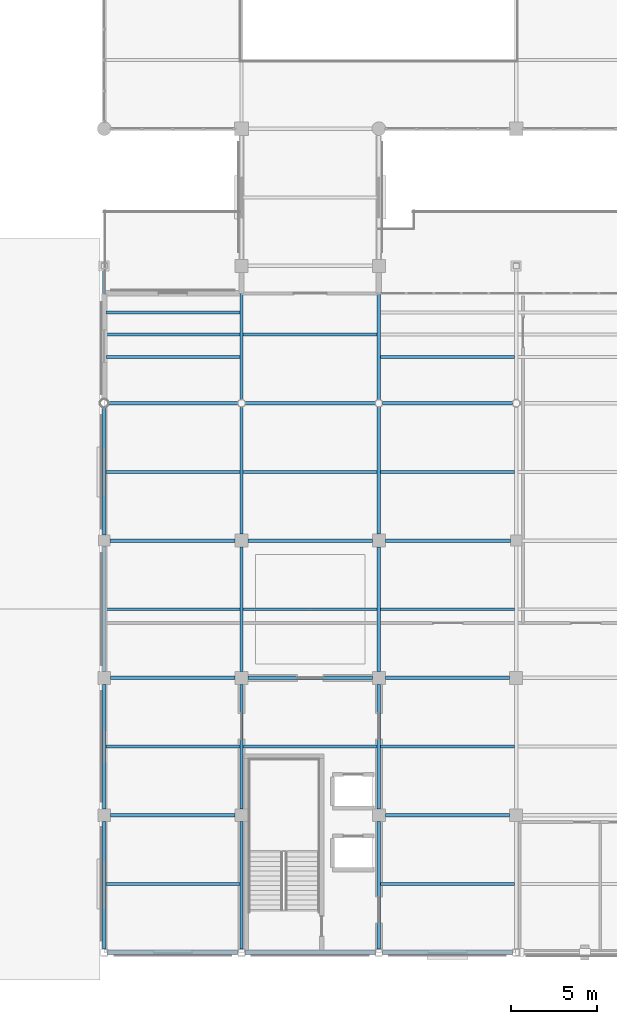
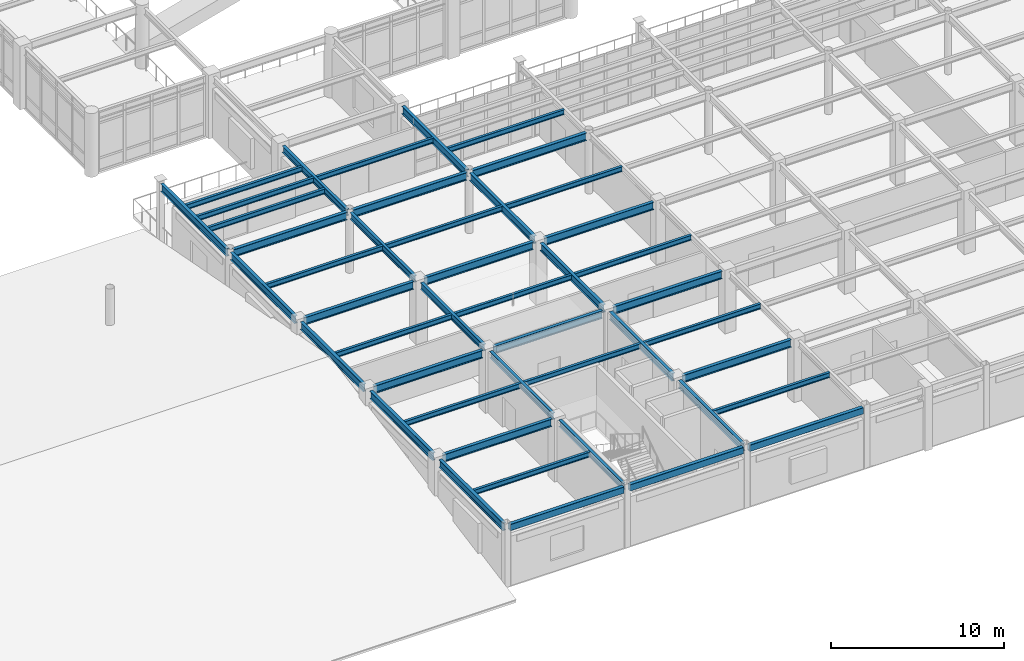
# One storey, part 18 of 111: 45 beams.
"""IFC4 building model written with IfcOpenShell, lengths in metres."""

from ifc_helpers import new_model, si_unit, direction, frame, origin, origin_2d, place, context, subcontext, project, spatial, hollow_rectangle, i_section, extrude, material, material_profile, profile_set, type_object, element, save


model = new_model("IFC4")

# Units and contexts
model_context = context("Model", 3, precision=1e-05, world=origin(), true_north=direction((0.0, 1.0)))
body_context = subcontext(model_context, "Body", "Model", "MODEL_VIEW")
ifc_project = project(units=[si_unit("LENGTHUNIT", "METRE"), si_unit("AREAUNIT", "SQUARE_METRE"), si_unit("VOLUMEUNIT", "CUBIC_METRE"), si_unit("PLANEANGLEUNIT", "RADIAN"), si_unit("MASSUNIT", "GRAM", prefix="KILO")], contexts=[model_context])

# Site, building, storey
site_placement = place(None, origin())
site = spatial("IfcSite", under=ifc_project, at=site_placement, CompositionType="ELEMENT")
building_placement = place(site_placement, origin())
building = spatial("IfcBuilding", under=site, at=building_placement, Name="Solmirada Galleria", CompositionType="ELEMENT")
storey_placement = place(building_placement, frame((0.0, 0.0, 10.39990234375)))
storey = spatial("IfcBuildingStorey", under=building, at=storey_placement, Name="L02", CompositionType="ELEMENT", Elevation=10.39990234375)

# Beams
ifc_material_1 = material(Name="Steel S355 / ASTM A992 Grade 50", Category="steel")
ifc_material_profile_1 = material_profile(ifc_material_1, i_section(OverallWidth=0.194091796875, OverallDepth=0.468994140625, WebThickness=0.0126953125, FlangeThickness=0.0205078125, FilletRadius=0.013916015625, at=origin_2d()), Name="W18X71")
ifc_profile_set_1 = profile_set([ifc_material_profile_1], Name="Steel S355 / ASTM A992 Grade 50")
beam_type_1 = type_object("IfcBeamType", Name="BM-GIRD-W18B", PredefinedType="BEAM", material=ifc_profile_set_1)
beam_1_placement = place(storey_placement, frame((88.0, 0.202880859375, 4.065673828125), z_axis=(0.0, 1.0, 0.0), x_axis=(-1.0, 0.0, 0.0)))
element("IfcBeam", 1, at=beam_1_placement, inside=storey, type_object=beam_type_1, Name="Primary girder L03 Y(88, 0..8)", PredefinedType="BEAM", context=body_context, shape_type="SweptSolid", body=[
    extrude(i_section(OverallWidth=0.194091796875, OverallDepth=0.468994140625, WebThickness=0.0126953125, FlangeThickness=0.0205078125, FilletRadius=0.013916015625, at=origin_2d()), origin(), (0.0, 0.0, 1.0), 7.422119140625),
])
for number, where, z_axis, x_axis, name in (
    (2, (88.0, 8.375, 4.065673828125), (0.0, 1.0, 0.0), (-1.0, 0.0, 0.0), "Primary girder L03 Y(88, 8..16)"),
    (3, (88.0, 16.375, 4.065673828125), (0.0, 1.0, 0.0), (-1.0, 0.0, 0.0), "Primary girder L03 Y(88, 16..24)"),
):
    element("IfcBeam", number, at=place(storey_placement, frame(where, z_axis=z_axis, x_axis=x_axis)), inside=storey, type_object=beam_type_1, Name=name, PredefinedType="BEAM", context=body_context, shape_type="SweptSolid", body=[
        extrude(i_section(OverallWidth=0.194091796875, OverallDepth=0.468994140625, WebThickness=0.0126953125, FlangeThickness=0.0205078125, FilletRadius=0.013916015625, at=origin_2d()), origin(), (0.0, 0.0, 1.0), 7.25),
    ])
for number, where, z_axis, x_axis, name in (
    (4, (88.0, 24.375, 4.065673828125), (0.0, 1.0, 0.0), (-1.0, 0.0, 0.0), "Primary girder L03 Y(88, 24..32)"),
    (5, (88.0, 32.19189453125, 4.025634765625), (0.0, 1.0, 0.0), (-1.0, 0.0, 0.0), "Primary girder L03 Y(88, 32..40)"),
):
    element("IfcBeam", number, at=place(storey_placement, frame(where, z_axis=z_axis, x_axis=x_axis)), inside=storey, type_object=beam_type_1, Name=name, PredefinedType="BEAM", context=body_context, shape_type="SweptSolid", body=[
        extrude(i_section(OverallWidth=0.194091796875, OverallDepth=0.468994140625, WebThickness=0.0126953125, FlangeThickness=0.0205078125, FilletRadius=0.013916015625, at=origin_2d()), origin(), (0.0, 0.0, 1.0), 7.43310546875),
    ])
ifc_material_profile_2 = material_profile(ifc_material_1, i_section(OverallWidth=0.214111328125, OverallDepth=0.549072265625, WebThickness=0.0146484375, FlangeThickness=0.023681640625, FilletRadius=0.014892578125, at=origin_2d()), Name="W21X93")
ifc_profile_set_2 = profile_set([ifc_material_profile_2], Name="Steel S355 / ASTM A992 Grade 50")
beam_type_2 = type_object("IfcBeamType", Name="BM-GIRD-W21A", PredefinedType="BEAM", material=ifc_profile_set_2)
beam_2_placement = place(storey_placement, frame((80.375, 16.0, 4.025634765625), z_axis=(1.0, 0.0, 0.0), x_axis=(0.0, 1.0, 0.0)))
element("IfcBeam", 6, at=beam_2_placement, inside=storey, type_object=beam_type_2, Name="Primary beam L03 X(80..88, 16)", PredefinedType="BEAM", context=body_context, shape_type="SweptSolid", body=[
    extrude(i_section(OverallWidth=0.214111328125, OverallDepth=0.549072265625, WebThickness=0.0146484375, FlangeThickness=0.023681640625, FilletRadius=0.014892578125, at=origin_2d()), origin(), (0.0, 0.0, 1.0), 7.25),
])
beam_3_placement = place(storey_placement, frame((80.21337890625, 32.0, 4.025634765625), z_axis=(1.0, 0.0, 0.0), x_axis=(0.0, 1.0, 0.0)))
element("IfcBeam", 7, at=beam_3_placement, inside=storey, type_object=beam_type_2, Name="Primary beam L03 X(80..88, 32)", PredefinedType="BEAM", context=body_context, shape_type="SweptSolid", body=[
    extrude(i_section(OverallWidth=0.214111328125, OverallDepth=0.549072265625, WebThickness=0.0146484375, FlangeThickness=0.023681640625, FilletRadius=0.014892578125, at=origin_2d()), origin(), (0.0, 0.0, 1.0), 7.5947265625),
])
beam_4_placement = place(storey_placement, frame((88.375, 16.0, 4.025634765625), z_axis=(1.0, 0.0, 0.0), x_axis=(0.0, 1.0, 0.0)))
element("IfcBeam", 8, at=beam_4_placement, inside=storey, type_object=beam_type_2, Name="Primary beam L03 X(88..96, 16)", PredefinedType="BEAM", context=body_context, shape_type="SweptSolid", body=[
    extrude(i_section(OverallWidth=0.214111328125, OverallDepth=0.549072265625, WebThickness=0.0146484375, FlangeThickness=0.023681640625, FilletRadius=0.014892578125, at=origin_2d()), origin(), (0.0, 0.0, 1.0), 7.25),
])
beam_5_placement = place(storey_placement, frame((88.19189453125, 32.0, 4.025634765625), z_axis=(1.0, 0.0, 0.0), x_axis=(0.0, 1.0, 0.0)))
element("IfcBeam", 9, at=beam_5_placement, inside=storey, type_object=beam_type_2, Name="Primary beam L03 X(88..96, 32)", PredefinedType="BEAM", context=body_context, shape_type="SweptSolid", body=[
    extrude(i_section(OverallWidth=0.214111328125, OverallDepth=0.549072265625, WebThickness=0.0146484375, FlangeThickness=0.023681640625, FilletRadius=0.014892578125, at=origin_2d()), origin(), (0.0, 0.0, 1.0), 7.6162109375),
])
beam_6_placement = place(storey_placement, frame((96.375, 16.0, 4.025634765625), z_axis=(1.0, 0.0, 0.0), x_axis=(0.0, 1.0, 0.0)))
element("IfcBeam", 10, at=beam_6_placement, inside=storey, type_object=beam_type_2, Name="Primary beam L03 X(96..104, 16)", PredefinedType="BEAM", context=body_context, shape_type="SweptSolid", body=[
    extrude(i_section(OverallWidth=0.214111328125, OverallDepth=0.549072265625, WebThickness=0.0146484375, FlangeThickness=0.023681640625, FilletRadius=0.014892578125, at=origin_2d()), origin(), (0.0, 0.0, 1.0), 7.25),
])
beam_7_placement = place(storey_placement, frame((96.19189453125, 32.0, 4.025634765625), z_axis=(1.0, 0.0, 0.0), x_axis=(0.0, 1.0, 0.0)))
element("IfcBeam", 11, at=beam_7_placement, inside=storey, type_object=beam_type_2, Name="Primary beam L03 X(96..104, 32)", PredefinedType="BEAM", context=body_context, shape_type="SweptSolid", body=[
    extrude(i_section(OverallWidth=0.214111328125, OverallDepth=0.549072265625, WebThickness=0.0146484375, FlangeThickness=0.023681640625, FilletRadius=0.014892578125, at=origin_2d()), origin(), (0.0, 0.0, 1.0), 7.6162109375),
])
ifc_material_profile_3 = material_profile(ifc_material_1, i_section(OverallWidth=0.2099609375, OverallDepth=0.537109375, WebThickness=0.010986328125, FlangeThickness=0.017333984375, FilletRadius=0.014892578125, at=origin_2d()), Name="W21X68")
ifc_profile_set_3 = profile_set([ifc_material_profile_3], Name="Steel S355 / ASTM A992 Grade 50")
beam_type_3 = type_object("IfcBeamType", Name="BM-GIRD-W21B", PredefinedType="BEAM", material=ifc_profile_set_3)
beam_8_placement = place(storey_placement, frame((80.375, 8.0, 4.031494140625), z_axis=(1.0, 0.0, 0.0), x_axis=(0.0, 1.0, 0.0)))
element("IfcBeam", 12, at=beam_8_placement, inside=storey, type_object=beam_type_3, Name="Primary beam L03 X(80..88, 8)", PredefinedType="BEAM", context=body_context, shape_type="SweptSolid", body=[
    extrude(i_section(OverallWidth=0.2099609375, OverallDepth=0.537109375, WebThickness=0.010986328125, FlangeThickness=0.017333984375, FilletRadius=0.014892578125, at=origin_2d()), origin(), (0.0, 0.0, 1.0), 7.25),
])
beam_9_placement = place(storey_placement, frame((80.324951171875, 24.0, 4.031494140625), z_axis=(1.0, 0.0, 0.0), x_axis=(0.0, 1.0, 0.0)))
element("IfcBeam", 13, at=beam_9_placement, inside=storey, type_object=beam_type_3, Name="Primary beam L03 X(80..88, 24)", PredefinedType="BEAM", context=body_context, shape_type="SweptSolid", body=[
    extrude(i_section(OverallWidth=0.2099609375, OverallDepth=0.537109375, WebThickness=0.010986328125, FlangeThickness=0.017333984375, FilletRadius=0.014892578125, at=origin_2d()), origin(), (0.0, 0.0, 1.0), 7.300048828125),
])
for number, where, z_axis, x_axis, name in (
    (14, (88.375, 24.0, 4.031494140625), (1.0, 0.0, 0.0), (0.0, 1.0, 0.0), "Primary beam L03 X(88..96, 24)"),
    (15, (96.375, 8.0, 4.031494140625), (1.0, 0.0, 0.0), (0.0, 1.0, 0.0), "Primary beam L03 X(96..104, 8)"),
):
    element("IfcBeam", number, at=place(storey_placement, frame(where, z_axis=z_axis, x_axis=x_axis)), inside=storey, type_object=beam_type_3, Name=name, PredefinedType="BEAM", context=body_context, shape_type="SweptSolid", body=[
        extrude(i_section(OverallWidth=0.2099609375, OverallDepth=0.537109375, WebThickness=0.010986328125, FlangeThickness=0.017333984375, FilletRadius=0.014892578125, at=origin_2d()), origin(), (0.0, 0.0, 1.0), 7.25),
    ])
beam_10_placement = place(storey_placement, frame((96.375, 24.0, 4.031494140625), z_axis=(1.0, 0.0, 0.0), x_axis=(0.0, 1.0, 0.0)))
element("IfcBeam", 16, at=beam_10_placement, inside=storey, type_object=beam_type_3, Name="Primary beam L03 X(96..104, 24)", PredefinedType="BEAM", context=body_context, shape_type="SweptSolid", body=[
    extrude(i_section(OverallWidth=0.2099609375, OverallDepth=0.537109375, WebThickness=0.010986328125, FlangeThickness=0.017333984375, FilletRadius=0.014892578125, at=origin_2d()), origin(), (0.0, 0.0, 1.0), 7.300048828125),
])
beam_11_placement = place(storey_placement, frame((80.0, 0.202880859375, 4.031494140625), z_axis=(0.0, 1.0, 0.0), x_axis=(-1.0, 0.0, 0.0)))
element("IfcBeam", 17, at=beam_11_placement, inside=storey, type_object=beam_type_3, Name="Primary girder L03 Y(80, 0..8)", PredefinedType="BEAM", context=body_context, shape_type="SweptSolid", body=[
    extrude(i_section(OverallWidth=0.2099609375, OverallDepth=0.537109375, WebThickness=0.010986328125, FlangeThickness=0.017333984375, FilletRadius=0.014892578125, at=origin_2d()), origin(), (0.0, 0.0, 1.0), 7.422119140625),
])
beam_12_placement = place(storey_placement, frame((80.0, 8.375, 4.031494140625), z_axis=(0.0, 1.0, 0.0), x_axis=(-1.0, 0.0, 0.0)))
element("IfcBeam", 18, at=beam_12_placement, inside=storey, type_object=beam_type_3, Name="Primary girder L03 Y(80, 8..16)", PredefinedType="BEAM", context=body_context, shape_type="SweptSolid", body=[
    extrude(i_section(OverallWidth=0.2099609375, OverallDepth=0.537109375, WebThickness=0.010986328125, FlangeThickness=0.017333984375, FilletRadius=0.014892578125, at=origin_2d()), origin(), (0.0, 0.0, 1.0), 7.25),
])
beam_13_placement = place(storey_placement, frame((80.0, 16.375, 4.031494140625), z_axis=(0.0, 1.0, 0.0), x_axis=(-1.0, 0.0, 0.0)))
element("IfcBeam", 19, at=beam_13_placement, inside=storey, type_object=beam_type_3, Name="Primary girder L03 Y(80, 16..24)", PredefinedType="BEAM", context=body_context, shape_type="SweptSolid", body=[
    extrude(i_section(OverallWidth=0.2099609375, OverallDepth=0.537109375, WebThickness=0.010986328125, FlangeThickness=0.017333984375, FilletRadius=0.014892578125, at=origin_2d()), origin(), (0.0, 0.0, 1.0), 7.300048828125),
])
beam_14_placement = place(storey_placement, frame((80.0, 24.324951171875, 4.031494140625), z_axis=(0.0, 1.0, 0.0), x_axis=(-1.0, 0.0, 0.0)))
element("IfcBeam", 20, at=beam_14_placement, inside=storey, type_object=beam_type_3, Name="Primary girder L03 Y(80, 24..32)", PredefinedType="BEAM", context=body_context, shape_type="SweptSolid", body=[
    extrude(i_section(OverallWidth=0.2099609375, OverallDepth=0.537109375, WebThickness=0.010986328125, FlangeThickness=0.017333984375, FilletRadius=0.014892578125, at=origin_2d()), origin(), (0.0, 0.0, 1.0), 7.461669921875),
])
beam_15_placement = place(storey_placement, frame((80.0, 32.21337890625, 3.99169921875), z_axis=(0.0, 1.0, 0.0), x_axis=(-1.0, 0.0, 0.0)))
element("IfcBeam", 21, at=beam_15_placement, inside=storey, type_object=beam_type_3, Name="Primary girder L03 Y(80, 32..40)", PredefinedType="BEAM", context=body_context, shape_type="SweptSolid", body=[
    extrude(i_section(OverallWidth=0.2099609375, OverallDepth=0.537109375, WebThickness=0.010986328125, FlangeThickness=0.017333984375, FilletRadius=0.014892578125, at=origin_2d()), origin(), (0.0, 0.0, 1.0), 7.608642578125),
])
beam_16_placement = place(storey_placement, frame((96.0, 0.202880859375, 4.031494140625), z_axis=(0.0, 1.0, 0.0), x_axis=(-1.0, 0.0, 0.0)))
element("IfcBeam", 22, at=beam_16_placement, inside=storey, type_object=beam_type_3, Name="Primary girder L03 Y(96, 0..8)", PredefinedType="BEAM", context=body_context, shape_type="SweptSolid", body=[
    extrude(i_section(OverallWidth=0.2099609375, OverallDepth=0.537109375, WebThickness=0.010986328125, FlangeThickness=0.017333984375, FilletRadius=0.014892578125, at=origin_2d()), origin(), (0.0, 0.0, 1.0), 7.422119140625),
])
for number, where, z_axis, x_axis, name in (
    (23, (96.0, 8.375, 4.031494140625), (0.0, 1.0, 0.0), (-1.0, 0.0, 0.0), "Primary girder L03 Y(96, 8..16)"),
    (24, (96.0, 16.375, 4.031494140625), (0.0, 1.0, 0.0), (-1.0, 0.0, 0.0), "Primary girder L03 Y(96, 16..24)"),
):
    element("IfcBeam", number, at=place(storey_placement, frame(where, z_axis=z_axis, x_axis=x_axis)), inside=storey, type_object=beam_type_3, Name=name, PredefinedType="BEAM", context=body_context, shape_type="SweptSolid", body=[
        extrude(i_section(OverallWidth=0.2099609375, OverallDepth=0.537109375, WebThickness=0.010986328125, FlangeThickness=0.017333984375, FilletRadius=0.014892578125, at=origin_2d()), origin(), (0.0, 0.0, 1.0), 7.25),
    ])
for number, where, z_axis, x_axis, name in (
    (25, (96.0, 24.375, 4.031494140625), (0.0, 1.0, 0.0), (-1.0, 0.0, 0.0), "Primary girder L03 Y(96, 24..32)"),
    (26, (96.0, 32.19189453125, 3.99169921875), (0.0, 1.0, 0.0), (-1.0, 0.0, 0.0), "Primary girder L03 Y(96, 32..40)"),
):
    element("IfcBeam", number, at=place(storey_placement, frame(where, z_axis=z_axis, x_axis=x_axis)), inside=storey, type_object=beam_type_3, Name=name, PredefinedType="BEAM", context=body_context, shape_type="SweptSolid", body=[
        extrude(i_section(OverallWidth=0.2099609375, OverallDepth=0.537109375, WebThickness=0.010986328125, FlangeThickness=0.017333984375, FilletRadius=0.014892578125, at=origin_2d()), origin(), (0.0, 0.0, 1.0), 7.43310546875),
    ])
ifc_material_profile_4 = material_profile(ifc_material_1, i_section(OverallWidth=0.172119140625, OverallDepth=0.35791015625, WebThickness=0.0078125, FlangeThickness=0.01318359375, FilletRadius=0.011962890625, at=origin_2d()), Name="W14X38")
ifc_profile_set_4 = profile_set([ifc_material_profile_4], Name="Steel S355 / ASTM A992 Grade 50")
beam_type_4 = type_object("IfcBeamType", Name="BM-JST-W14A", PredefinedType="JOIST", material=ifc_profile_set_4)
for number, where, z_axis, x_axis, name in (
    (27, (80.10498046875, 4.0, 4.12109375), (1.0, 0.0, 0.0), (0.0, 1.0, 0.0), "Composite floor joist L03 (80..88, 4.0)"),
    (28, (80.10498046875, 12.0, 4.12109375), (1.0, 0.0, 0.0), (0.0, 1.0, 0.0), "Composite floor joist L03 (80..88, 12.0)"),
    (29, (80.10498046875, 20.0, 4.12109375), (1.0, 0.0, 0.0), (0.0, 1.0, 0.0), "Composite floor joist L03 (80..88, 20.0)"),
    (30, (80.10498046875, 28.0, 4.12109375), (1.0, 0.0, 0.0), (0.0, 1.0, 0.0), "Composite floor joist L03 (80..88, 28.0)"),
    (31, (80.10498046875, 36.0, 4.0810546875), (1.0, 0.0, 0.0), (0.0, 1.0, 0.0), "Composite floor joist L03 (80..88, 36.0)"),
    (32, (88.096923828125, 12.0, 4.12109375), (1.0, 0.0, 0.0), (0.0, 1.0, 0.0), "Composite floor joist L03 (88..96, 12.0)"),
    (33, (88.096923828125, 20.0, 4.12109375), (1.0, 0.0, 0.0), (0.0, 1.0, 0.0), "Composite floor joist L03 (88..96, 20.0)"),
    (34, (88.096923828125, 28.0, 4.12109375), (1.0, 0.0, 0.0), (0.0, 1.0, 0.0), "Composite floor joist L03 (88..96, 28.0)"),
    (35, (88.096923828125, 36.0, 4.0810546875), (1.0, 0.0, 0.0), (0.0, 1.0, 0.0), "Composite floor joist L03 (88..96, 36.0)"),
    (36, (96.10498046875, 4.0, 4.12109375), (1.0, 0.0, 0.0), (0.0, 1.0, 0.0), "Composite floor joist L03 (96..104, 4.0)"),
    (37, (96.10498046875, 12.0, 4.12109375), (1.0, 0.0, 0.0), (0.0, 1.0, 0.0), "Composite floor joist L03 (96..104, 12.0)"),
    (38, (96.10498046875, 20.0, 4.12109375), (1.0, 0.0, 0.0), (0.0, 1.0, 0.0), "Composite floor joist L03 (96..104, 20.0)"),
    (39, (96.10498046875, 28.0, 4.12109375), (1.0, 0.0, 0.0), (0.0, 1.0, 0.0), "Composite floor joist L03 (96..104, 28.0)"),
):
    element("IfcBeam", number, at=place(storey_placement, frame(where, z_axis=z_axis, x_axis=x_axis)), inside=storey, type_object=beam_type_4, Name=name, PredefinedType="JOIST", context=body_context, shape_type="SweptSolid", body=[
        extrude(i_section(OverallWidth=0.172119140625, OverallDepth=0.35791015625, WebThickness=0.0078125, FlangeThickness=0.01318359375, FilletRadius=0.011962890625, at=origin_2d()), origin(), (0.0, 0.0, 1.0), 7.798095703125),
    ])
ifc_material_profile_5 = material_profile(ifc_material_1, i_section(OverallWidth=0.1708984375, OverallDepth=0.35205078125, WebThickness=0.0068359375, FlangeThickness=0.009765625, FilletRadius=0.010986328125, at=origin_2d()), Name="W14X30")
ifc_profile_set_5 = profile_set([ifc_material_profile_5], Name="Steel S355 / ASTM A992 Grade 50")
beam_type_5 = type_object("IfcBeamType", Name="BM-JST-W14B", PredefinedType="JOIST", material=ifc_profile_set_5)
for number, where, z_axis, x_axis, name in (
    (40, (80.10498046875, 34.699951171875, 4.083984375), (1.0, 0.0, 0.0), (0.0, 1.0, 0.0), "Terrace deck joist L03-TERR-SW X=80..88 (1)"),
    (41, (80.10498046875, 37.300048828125, 4.083984375), (1.0, 0.0, 0.0), (0.0, 1.0, 0.0), "Terrace deck joist L03-TERR-SW X=80..88 (2)"),
    (42, (96.10498046875, 34.699951171875, 4.083984375), (1.0, 0.0, 0.0), (0.0, 1.0, 0.0), "Terrace deck joist L03-TERR-SE X=96..104 (1)"),
):
    element("IfcBeam", number, at=place(storey_placement, frame(where, z_axis=z_axis, x_axis=x_axis)), inside=storey, type_object=beam_type_5, Name=name, PredefinedType="JOIST", context=body_context, shape_type="SweptSolid", body=[
        extrude(i_section(OverallWidth=0.1708984375, OverallDepth=0.35205078125, WebThickness=0.0068359375, FlangeThickness=0.009765625, FilletRadius=0.010986328125, at=origin_2d()), origin(), (0.0, 0.0, 1.0), 7.798095703125),
    ])
ifc_material_2 = material(Name="Steel S355 / ASTM A500 Grade C", Category="steel")
ifc_material_profile_6 = material_profile(ifc_material_2, hollow_rectangle(XDim=0.25390625, YDim=0.45703125, WallThickness=0.01171875, InnerFilletRadius=0.01171875, OuterFilletRadius=0.023681640625, at=origin_2d()), Name="HSS18X10X1/2")
ifc_profile_set_6 = profile_set([ifc_material_profile_6], Name="Steel S355 / ASTM A500 Grade C")
beam_type_6 = type_object("IfcBeamType", Name="BM-SPAND-W18", PredefinedType="SPANDREL", material=ifc_profile_set_6)
for number, where, z_axis, x_axis, name in (
    (43, (80.202880859375, 0.0, 4.071533203125), (1.0, 0.0, 0.0), (0.0, 1.0, 0.0), "Primary beam L03 X(80..88, 0)"),
    (44, (88.202880859375, 0.0, 4.071533203125), (1.0, 0.0, 0.0), (0.0, 1.0, 0.0), "Primary beam L03 X(88..96, 0)"),
    (45, (96.202880859375, 0.0, 4.071533203125), (1.0, 0.0, 0.0), (0.0, 1.0, 0.0), "Primary beam L03 X(96..104, 0)"),
):
    element("IfcBeam", number, at=place(storey_placement, frame(where, z_axis=z_axis, x_axis=x_axis)), inside=storey, type_object=beam_type_6, Name=name, PredefinedType="SPANDREL", context=body_context, shape_type="SweptSolid", body=[
        extrude(hollow_rectangle(XDim=0.25390625, YDim=0.45703125, WallThickness=0.01171875, InnerFilletRadius=0.01171875, OuterFilletRadius=0.023681640625, at=origin_2d()), origin(), (0.0, 0.0, 1.0), 7.59423828125),
    ])

save(model, "model.ifc")
